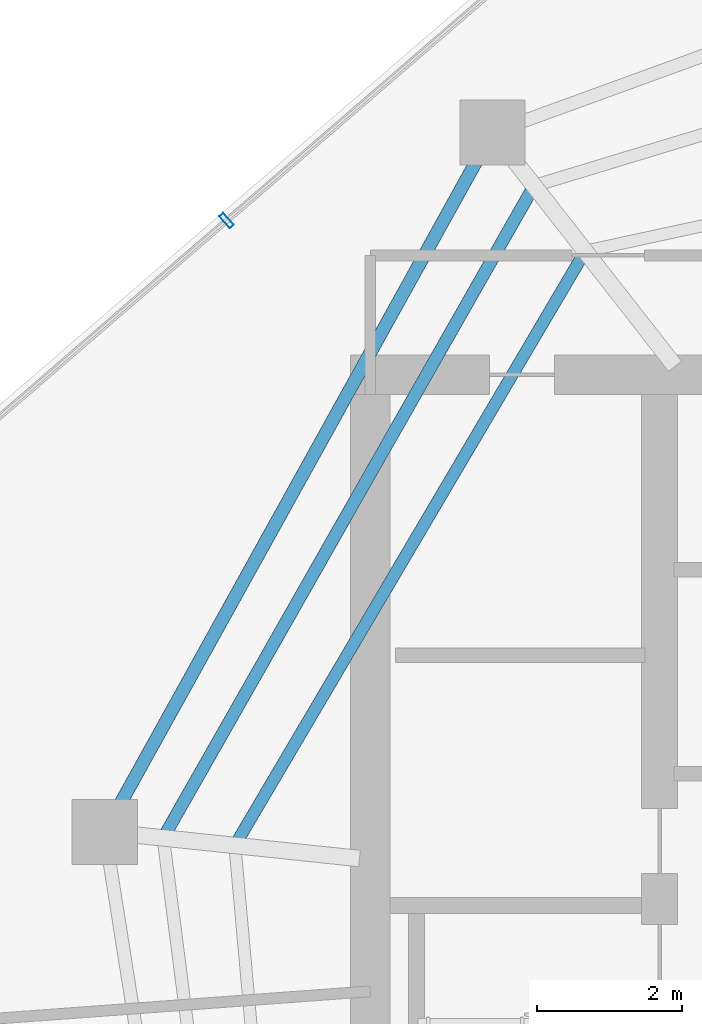
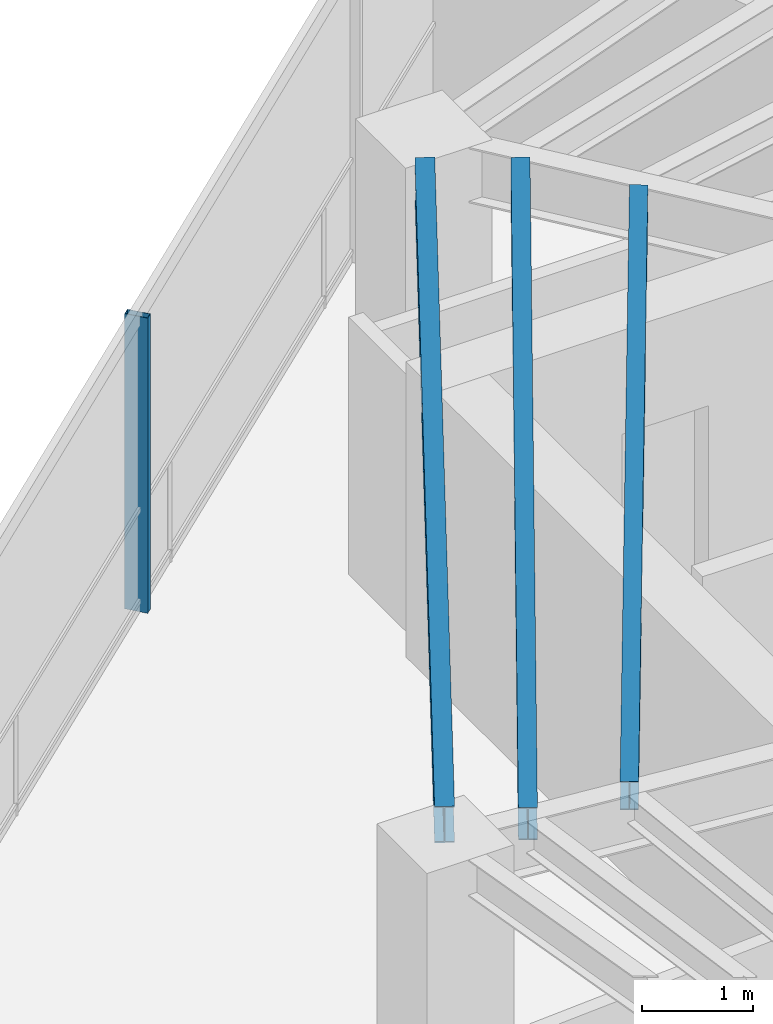
# One storey, part 7 of 18: 3 beams, 1 member, 1 element without a shape of its own.
"""IFC4 building model written with IfcOpenShell, lengths in metres."""

import ifcopenshell
import ifcopenshell.guid

model = None  # the IFC model being written
_history = None  # IfcOwnerHistory: only IFC2X3 demands one
_inside = {}  # id of a spatial element -> (the spatial element, [elements in it])
_under = {}  # id of a project, library or spatial element -> (it, [spatial elements below it])
_declared = {}  # id of a project -> (the project, [libraries it declares])
_typed = {}  # id of a type object -> (the type object, [elements of that type])
_made_of = {}  # id of a material, layer set ... -> (it, [elements and type objects made of it])


def new_model(schema):
    """Start an empty IFC model of exactly this schema.

    Asked for "IFC4X3", IfcOpenShell would pick the latest addendum, in which some entities
    have other attributes; the version numbers below select the first issue.
    IFC2X3 requires an IfcOwnerHistory on every rooted entity: one is made here for all.
    """
    global model, _history
    if schema == "IFC4X3":
        model = ifcopenshell.file(schema_version=(4, 3, 0, 0))
    else:
        model = ifcopenshell.file(schema=schema)
    _inside.clear()
    _under.clear()
    _declared.clear()
    _typed.clear()
    _made_of.clear()
    _history = None
    if model.schema == "IFC2X3":
        org = make("IfcOrganization", Name="unknown")
        user = make(
            "IfcPersonAndOrganization",
            ThePerson=make("IfcPerson", FamilyName="unknown"),
            TheOrganization=org,
        )
        app = make(
            "IfcApplication",
            ApplicationDeveloper=org,
            Version="unknown",
            ApplicationFullName="unknown",
            ApplicationIdentifier="unknown",
        )
        _history = make(
            "IfcOwnerHistory",
            OwningUser=user,
            OwningApplication=app,
            ChangeAction="ADDED",
            CreationDate=0,
        )
    return model


def make(cls, **values):
    """One entity of the class cls with the attributes given. An attribute that is None is left unset."""
    return model.create_entity(
        cls, **{name: value for name, value in values.items() if value is not None}
    )


def rooted(cls, **values):
    """An entity with a GlobalId (a new one), such as an element, a storey or a relation."""
    return make(cls, GlobalId=ifcopenshell.guid.new(), OwnerHistory=_history, **values)


def si_unit(unit_type, name, prefix=None):
    """IfcSIUnit, for example si_unit("LENGTHUNIT", "METRE", prefix="MILLI")."""
    return make("IfcSIUnit", UnitType=unit_type, Prefix=prefix, Name=name)


def assignment(units):
    """IfcUnitAssignment: the units of a project."""
    return None if units is None else make("IfcUnitAssignment", Units=units)


def point(xyz):
    """IfcCartesianPoint."""
    return None if xyz is None else make("IfcCartesianPoint", Coordinates=xyz)


def direction(xyz):
    """IfcDirection."""
    return None if xyz is None else make("IfcDirection", DirectionRatios=xyz)


def frame(location, z_axis=None, x_axis=None):
    """IfcAxis2Placement3D, a coordinate frame: its origin and axes. An axis left out is left unset."""
    return make(
        "IfcAxis2Placement3D",
        Location=point(location),
        Axis=direction(z_axis),
        RefDirection=direction(x_axis),
    )


def frame_2d(location, x_axis=None):
    """IfcAxis2Placement2D, a coordinate frame in the plane: its origin and x axis."""
    return make(
        "IfcAxis2Placement2D", Location=point(location), RefDirection=direction(x_axis)
    )


def origin():
    """The frame at (0, 0, 0) with its axes left unset."""
    return frame((0.0, 0.0, 0.0))


def origin_2d():
    """The frame at (0, 0) in the plane with its x axis left unset."""
    return frame_2d((0.0, 0.0))


def place(relative_to, where):
    """IfcLocalPlacement: puts the frame where relative to a parent placement (None: the world)."""
    return make(
        "IfcLocalPlacement", PlacementRelTo=relative_to, RelativePlacement=where
    )


def context(
    kind, dimensions, precision=None, world=None, true_north=None, identifier=None
):
    """IfcGeometricRepresentationContext, for example the 3D "Model" context."""
    return make(
        "IfcGeometricRepresentationContext",
        ContextIdentifier=identifier,
        ContextType=kind,
        CoordinateSpaceDimension=dimensions,
        Precision=precision,
        WorldCoordinateSystem=world,
        TrueNorth=true_north,
    )


def subcontext(parent, identifier, kind, view, scale=None):
    """IfcGeometricRepresentationSubContext, for example "Body" below "Model"."""
    return make(
        "IfcGeometricRepresentationSubContext",
        ContextIdentifier=identifier,
        ContextType=kind,
        ParentContext=parent,
        TargetScale=scale,
        TargetView=view,
    )


def project(units=None, contexts=None):
    """IfcProject with its units and contexts."""
    return rooted(
        "IfcProject",
        Name="project",
        RepresentationContexts=contexts,
        UnitsInContext=assignment(units),
    )


def spatial(cls, under=None, at=None, **own):
    """A site, building, storey or space (cls), placed at a placement, below another one or the project."""
    s = rooted(cls, ObjectPlacement=at, **own)
    if under is not None:
        _under.setdefault(under.id(), (under, []))[1].append(s)
    return s


def profile(cls, at=None, kind="AREA", **sizes):
    """A parametric profile (cls). Its sizes go by their IFC names, for example OverallWidth=200.0."""
    return make(cls, ProfileType=kind, Position=at, **sizes)


def hollow_rectangle(**sizes):
    """IfcRectangleHollowProfileDef."""
    return profile("IfcRectangleHollowProfileDef", **sizes)


def i_section(**sizes):
    """IfcIShapeProfileDef."""
    return profile("IfcIShapeProfileDef", **sizes)


def extrude(swept, where, along, depth):
    """IfcExtrudedAreaSolid: the profile swept, set in the frame where, extruded along a direction by depth."""
    return make(
        "IfcExtrudedAreaSolid",
        SweptArea=swept,
        Position=where,
        ExtrudedDirection=direction(along),
        Depth=depth,
    )


def shape(context_of_items, identifier, shape_type, items):
    """IfcShapeRepresentation: the items that make up one representation, for example the "Body"."""
    return make(
        "IfcShapeRepresentation",
        ContextOfItems=context_of_items,
        RepresentationIdentifier=identifier,
        RepresentationType=shape_type,
        Items=items,
    )


def material(Name=None, Category=None):
    """IfcMaterial."""
    return make("IfcMaterial", Name=Name, Category=Category)


def layer(
    of_material, thickness, ventilated=None, Name=None, Category=None, Priority=None
):
    """IfcMaterialLayer: one layer of a wall or slab, of a material (None: an air gap)."""
    return make(
        "IfcMaterialLayer",
        Material=of_material,
        LayerThickness=thickness,
        IsVentilated=ventilated,
        Name=Name,
        Category=Category,
        Priority=Priority,
    )


def layer_set(layers, Name=None):
    """IfcMaterialLayerSet."""
    return make("IfcMaterialLayerSet", MaterialLayers=layers, LayerSetName=Name)


def material_profile(
    of_material, cross_section, Name=None, Category=None, Priority=None
):
    """IfcMaterialProfile: a cross section and its material."""
    return make(
        "IfcMaterialProfile",
        Name=Name,
        Material=of_material,
        Profile=cross_section,
        Priority=Priority,
        Category=Category,
    )


def profile_set(profiles, Name=None, composite=None):
    """IfcMaterialProfileSet."""
    return make(
        "IfcMaterialProfileSet",
        Name=Name,
        MaterialProfiles=profiles,
        CompositeProfile=composite,
    )


def made_of(thing, what):
    """Note that an element or type object is made of a material, layer set ...; save() writes the relation."""
    if what is not None:
        _made_of.setdefault(what.id(), (what, []))[1].append(thing)
    return thing


def type_object(cls, material=None, **own):
    """A type object (cls), such as IfcWallType, which elements share."""
    return made_of(rooted(cls, **own), material)


def element(
    cls,
    number,
    at=None,
    inside=None,
    cuts=None,
    type_object=None,
    material=None,
    context=None,
    identifier="Body",
    shape_type=None,
    held_by="IfcProductDefinitionShape",
    body=None,
    shapes=None,
    **own,
):
    """One element of the class cls, such as IfcWall. Its Tag is "e" and its number.

    at: its placement. inside: the storey or other place that contains it. cuts: it is an
    opening in that element (IfcRelVoidsElement). A single representation is given by context,
    identifier, shape_type and body (its items); several are given by shapes. held_by: the class
    of the entity that holds the representations. save() writes the other relations.
    """
    e = rooted(cls, Tag="e%d" % number, ObjectPlacement=at, **own)
    if body is not None:
        shapes = [shape(context, identifier, shape_type, body)]
    if shapes is not None:
        e.Representation = make(held_by, Representations=shapes)
    if inside is not None:
        _inside.setdefault(inside.id(), (inside, []))[1].append(e)
    if cuts is not None:
        rooted(
            "IfcRelVoidsElement", RelatingBuildingElement=cuts, RelatedOpeningElement=e
        )
    if type_object is not None:
        _typed.setdefault(type_object.id(), (type_object, []))[1].append(e)
    return made_of(e, material)


def aggregate(whole, parts):
    """IfcRelAggregates: a whole, such as a stair, and the parts it consists of."""
    return rooted("IfcRelAggregates", RelatingObject=whole, RelatedObjects=parts)


def save(model, path):
    """Write the relations noted so far, then the file.

    IfcRelAggregates (storeys below a building ...), IfcRelContainedInSpatialStructure (elements
    in a storey), IfcRelDefinesByType, IfcRelAssociatesMaterial and IfcRelDeclares: one each for
    every whole, place, type object, material and project.
    """
    for whole, parts in _under.values():
        aggregate(whole, parts)
    for where, things in _inside.values():
        rooted(
            "IfcRelContainedInSpatialStructure",
            RelatedElements=things,
            RelatingStructure=where,
        )
    for kind, things in _typed.values():
        rooted("IfcRelDefinesByType", RelatedObjects=things, RelatingType=kind)
    for what, things in _made_of.values():
        rooted("IfcRelAssociatesMaterial", RelatedObjects=things, RelatingMaterial=what)
    for by, libraries in _declared.values():
        rooted("IfcRelDeclares", RelatingContext=by, RelatedDefinitions=libraries)
    model.write(path)


model = new_model("IFC4")

# Units and contexts
model_context = context("Model", 3, precision=1e-05, world=origin(), true_north=direction((0.0, 1.0)))
body_context = subcontext(model_context, "Body", "Model", "MODEL_VIEW")
ifc_project = project(units=[si_unit("LENGTHUNIT", "METRE"), si_unit("AREAUNIT", "SQUARE_METRE"), si_unit("VOLUMEUNIT", "CUBIC_METRE"), si_unit("PLANEANGLEUNIT", "RADIAN"), si_unit("MASSUNIT", "GRAM", prefix="KILO")], contexts=[model_context])

# Site, building, storey
site_placement = place(None, origin())
site = spatial("IfcSite", under=ifc_project, at=site_placement, CompositionType="ELEMENT")
building_placement = place(site_placement, origin())
building = spatial("IfcBuilding", under=site, at=building_placement, Name="Qarnah Convention Tower", CompositionType="ELEMENT")
storey_placement = place(building_placement, frame((0.0, 0.0, 220.199951171875)))
storey = spatial("IfcBuildingStorey", under=building, at=storey_placement, Name="L59", CompositionType="ELEMENT", Elevation=220.199951171875)

# Beams
ifc_material_1 = material(Name="Structural steel S355JR", Category="steel")
ifc_material_profile_1 = material_profile(ifc_material_1, i_section(OverallWidth=0.166015625, OverallDepth=0.31201171875, WebThickness=0.007080078125, FlangeThickness=0.010986328125, at=origin_2d()), Name="W310X45")
ifc_profile_set_1 = profile_set([ifc_material_profile_1], Name="Structural steel S355JR")
beam_type_1 = type_object("IfcBeamType", Name="BM-JST-W310", PredefinedType="JOIST", material=ifc_profile_set_1)
beam_1_placement = place(storey_placement, frame((29.72509765625, 35.830078125, 3.083984375), z_axis=(-0.507800878702, -0.861474472976, 0.0), x_axis=(0.861474472976, -0.507800878702, 0.0)))
element("IfcBeam", 1, at=beam_1_placement, inside=storey, type_object=beam_type_1, Name="L59 joist BM-L59-IJST-04", PredefinedType="JOIST", context=body_context, shape_type="SweptSolid", body=[
    extrude(i_section(OverallWidth=0.166015625, OverallDepth=0.31201171875, WebThickness=0.007080078125, FlangeThickness=0.010986328125, at=origin_2d()), origin(), (0.0, 0.0, 1.0), 9.3583984375),
])
ifc_material_profile_2 = material_profile(ifc_material_1, i_section(OverallWidth=0.172119140625, OverallDepth=0.35595703125, WebThickness=0.007080078125, FlangeThickness=0.011962890625, at=origin_2d()), Name="W360X51")
ifc_profile_set_2 = profile_set([ifc_material_profile_2], Name="Structural steel S355JR")
beam_type_2 = type_object("IfcBeamType", Name="BM-JST-W360", PredefinedType="JOIST", material=ifc_profile_set_2)
beam_2_placement = place(storey_placement, frame((29.02001953125, 36.735107421875, 3.06201171875), z_axis=(-0.494322447591, -0.869278619206, 0.0), x_axis=(0.869278619206, -0.494322447591, 0.0)))
element("IfcBeam", 2, at=beam_2_placement, inside=storey, type_object=beam_type_2, Name="L59 joist BM-L59-SJST-04", PredefinedType="JOIST", context=body_context, shape_type="SweptSolid", body=[
    extrude(i_section(OverallWidth=0.172119140625, OverallDepth=0.35595703125, WebThickness=0.007080078125, FlangeThickness=0.011962890625, at=origin_2d()), origin(), (0.0, 0.0, 1.0), 10.19580078125),
])
ifc_material_profile_3 = material_profile(ifc_material_1, i_section(OverallWidth=0.179931640625, OverallDepth=0.39990234375, WebThickness=0.009033203125, FlangeThickness=0.013916015625, at=origin_2d()), Name="IPE400")
ifc_profile_set_3 = profile_set([ifc_material_profile_3], Name="Structural steel S355JR")
beam_type_3 = type_object("IfcBeamType", Name="BM-SPN-IPE400", PredefinedType="SPANDREL", material=ifc_profile_set_3)
beam_3_placement = place(storey_placement, frame((28.27490234375, 37.1650390625, 3.0400390625), z_axis=(-0.48479945923, -0.874625339406, 0.0), x_axis=(0.874625339406, -0.48479945923, 0.0)))
element("IfcBeam", 3, at=beam_3_placement, inside=storey, type_object=beam_type_3, Name="L59 spandrel BM-L59-SPN-04", PredefinedType="SPANDREL", context=body_context, shape_type="SweptSolid", body=[
    extrude(i_section(OverallWidth=0.179931640625, OverallDepth=0.39990234375, WebThickness=0.009033203125, FlangeThickness=0.013916015625, at=origin_2d()), origin(), (0.0, 0.0, 1.0), 10.177001953125),
])

# Curtain wall, member
ifc_material_2 = material(Name="Tempered Low-E dark glass", Category="glass")
ifc_layer = layer(ifc_material_2, 0.174072265625)
ifc_layer_set = layer_set([ifc_layer], Name="Tempered Low-E dark glass")
curtain_wall_type = type_object("IfcCurtainWallType", Name="CWS-04", PredefinedType="NOTDEFINED", material=ifc_layer_set)
curtain_wall_placement = place(storey_placement, origin())
curtain_wall = element("IfcCurtainWall", 4, at=curtain_wall_placement, inside=storey, type_object=curtain_wall_type, Name="L59 unitised curtain wall CW-L59-F1", PredefinedType="NOTDEFINED")
ifc_material_3 = material(Name="Black anodised aluminium", Category="aluminium")
ifc_material_profile_4 = material_profile(ifc_material_3, hollow_rectangle(XDim=0.074951171875, YDim=0.219970703125, WallThickness=0.0048828125, at=origin_2d()), Name="MUL-75X220")
ifc_profile_set_4 = profile_set([ifc_material_profile_4], Name="Black anodised aluminium")
member_type = type_object("IfcMemberType", Name="MUL-T4", PredefinedType="MULLION", material=ifc_profile_set_4)
member_placement = place(storey_placement, frame((24.8125, 36.332763671875, 0.0), z_axis=(0.0, 0.0, 1.0), x_axis=(0.756975759177, 0.653442958504, 0.0)))
member = element("IfcMember", 5, at=member_placement, type_object=member_type, Name="CW-L59-F1 mullion 3", PredefinedType="MULLION", context=body_context, shape_type="SweptSolid", body=[
    extrude(hollow_rectangle(XDim=0.074951171875, YDim=0.219970703125, WallThickness=0.0048828125, at=origin_2d()), origin(), (0.0, 0.0, 1.0), 3.239990234375),
])
aggregate(curtain_wall, [member])

save(model, "model.ifc")
